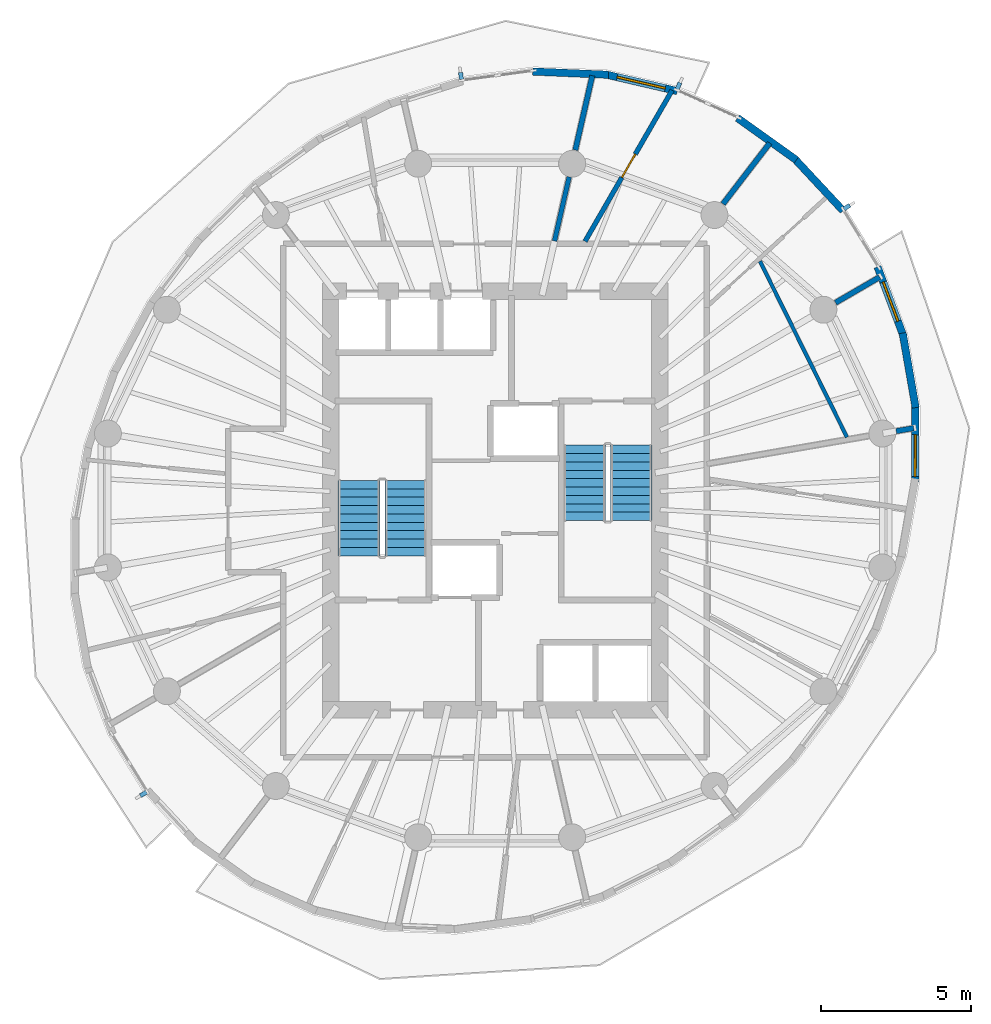
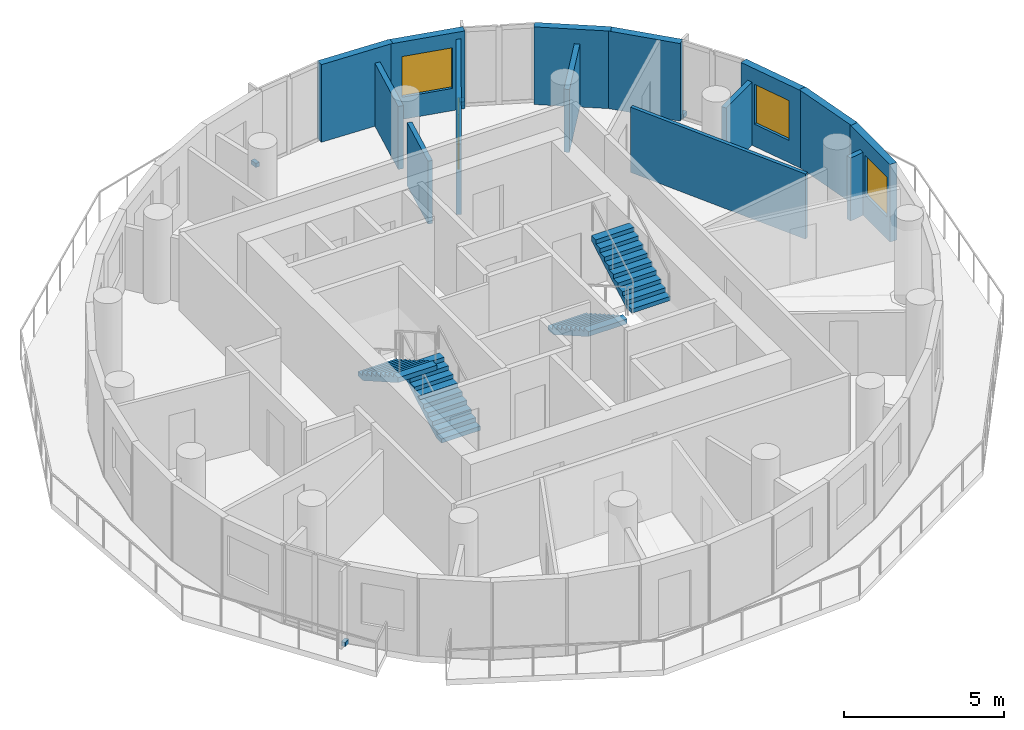
# One storey, part 7 of 10: 14 walls, 4 discrete accessories, 4 stair flights, 3 windows, 1 door, 4 openings, 2 elements without a shape of their own.
"""IFC4 building model written with IfcOpenShell, lengths in metres."""

from ifc_helpers import new_model, si_unit, direction, frame, frame_2d, origin, origin_2d, place, context, subcontext, project, spatial, polyline, rectangle, outline, extrude, material, layer, layer_set, type_object, element, fill, aggregate, save


model = new_model("IFC4")

# Units and contexts
model_context = context("Model", 3, precision=1e-05, world=origin(), true_north=direction((0.0, 1.0)))
body_context = subcontext(model_context, "Body", "Model", "MODEL_VIEW")
ifc_project = project(units=[si_unit("LENGTHUNIT", "METRE"), si_unit("AREAUNIT", "SQUARE_METRE"), si_unit("VOLUMEUNIT", "CUBIC_METRE"), si_unit("PLANEANGLEUNIT", "RADIAN"), si_unit("MASSUNIT", "GRAM", prefix="KILO")], contexts=[model_context])

# Site, building, storey
site_placement = place(None, origin())
site = spatial("IfcSite", under=ifc_project, at=site_placement, CompositionType="ELEMENT")
building_placement = place(site_placement, origin())
building = spatial("IfcBuilding", under=site, at=building_placement, Name="Veldorim Arch Residences", CompositionType="ELEMENT")
storey_placement = place(building_placement, frame((0.0, 0.0, 201.43994140625)))
storey = spatial("IfcBuildingStorey", under=building, at=storey_placement, Name="L60", CompositionType="ELEMENT", Elevation=201.43994140625)

# Walls
ifc_material_1 = material(Name="Acoustic Gypsum Board", Category="gypsum")
ifc_layer_1 = layer(ifc_material_1, 0.125, Name="Acoustic Stud Room Partition Wall 125")
ifc_layer_set_1 = layer_set([ifc_layer_1], Name="Acoustic Gypsum Board")
wall_type_1 = type_object("IfcWallType", Name="Acoustic Stud Room Partition Wall 125", PredefinedType="PARTITIONING", material=ifc_layer_set_1)
wall_1_placement = place(storey_placement, frame((43.7666015625, 26.11328125, 0.0), z_axis=(0.0, 0.0, 1.0), x_axis=(-0.443135854585, 0.89645446866, 0.0)))
element("IfcWall", 1, at=wall_1_placement, inside=storey, type_object=wall_type_1, Name="L60 interior wall WL-RES-L60-021", PredefinedType="PARTITIONING", context=body_context, shape_type="SweptSolid", body=[
    extrude(rectangle(XDim=6.5693359375, YDim=0.125, at=frame_2d((3.28466796875, 0.0))), origin(), (0.0, 0.0, 1.0), 2.488037109375),
])
ifc_material_2 = material(Name="Lightweight Masonry Block & Gypsum", Category="masonry")
ifc_layer_2 = layer(ifc_material_2, 0.179931640625, Name="Compartment & Corridor Fire-Rated Party Wall 180")
ifc_layer_set_2 = layer_set([ifc_layer_2], Name="Lightweight Masonry Block & Gypsum")
wall_type_2 = type_object("IfcWallType", Name="Compartment & Corridor Fire-Rated Party Wall 180", PredefinedType="PARTITIONING", material=ifc_layer_set_2)
wall_2_placement = place(storey_placement, frame((45.409423828125, 26.319580078125, 0.0), z_axis=(0.0, 0.0, 1.0), x_axis=(0.985338517658, 0.170610684362, 0.0)))
element("IfcWall", 2, at=wall_2_placement, inside=storey, type_object=wall_type_2, Name="L60 interior wall WL-PIER-L60-01", PredefinedType="PARTITIONING", context=body_context, shape_type="SweptSolid", body=[
    extrude(rectangle(XDim=0.592529296875, YDim=0.179931640625, at=frame_2d((0.29638671875, 0.0))), origin(), (0.0, 0.0, 1.0), 2.403564453125),
])
wall_3_placement = place(storey_placement, frame((43.3818359375, 30.614013671875, 0.0), z_axis=(0.0, 0.0, 1.0), x_axis=(0.864618511529, 0.502428929821, 0.0)))
element("IfcWall", 3, at=wall_3_placement, inside=storey, type_object=wall_type_2, Name="L60 interior wall WL-PIER-L60-02", PredefinedType="PARTITIONING", context=body_context, shape_type="SweptSolid", body=[
    extrude(rectangle(XDim=1.7060546875, YDim=0.179931640625, at=frame_2d((0.85302734375, 0.0))), origin(), (0.0, 0.0, 1.0), 2.403564453125),
])
wall_4_placement = place(storey_placement, frame((39.619873046875, 33.91796875, 0.0), z_axis=(0.0, 0.0, 1.0), x_axis=(0.60921849036, 0.79300241551, 0.0)))
element("IfcWall", 4, at=wall_4_placement, inside=storey, type_object=wall_type_2, Name="L60 interior wall WL-PIER-L60-03", PredefinedType="PARTITIONING", context=body_context, shape_type="SweptSolid", body=[
    extrude(rectangle(XDim=2.565185546875, YDim=0.179931640625, at=frame_2d((1.28271484375, 0.0))), origin(), (0.0, 0.0, 1.0), 2.403564453125),
])
wall_5_placement = place(storey_placement, frame((34.679931640625, 35.717529296875, 0.0), z_axis=(0.0, 0.0, 1.0), x_axis=(0.22299363946, 0.974819899654, 0.0)))
element("IfcWall", 5, at=wall_5_placement, inside=storey, type_object=wall_type_2, Name="L60 interior wall WL-PIER-L60-04", PredefinedType="PARTITIONING", context=body_context, shape_type="SweptSolid", body=[
    extrude(rectangle(XDim=2.552001953125, YDim=0.179931640625, at=frame_2d((1.27587890625, 0.0))), origin(), (0.0, 0.0, 1.0), 2.403564453125),
])
ifc_material_3 = material(Name="Precast concrete C40/50", Category="concrete")
ifc_layer_3 = layer(ifc_material_3, 0.25, Name="Tower Terracotta Spandrel & Pier Wall 250")
ifc_layer_set_3 = layer_set([ifc_layer_3], Name="Precast concrete C40/50")
wall_type_3 = type_object("IfcWallType", Name="Tower Terracotta Spandrel & Pier Wall 250", PredefinedType="SOLIDWALL", material=ifc_layer_set_3)
wall_6_placement = place(storey_placement, frame((40.106201171875, 36.788330078125, 0.0), z_axis=(0.0, 0.0, 1.0), x_axis=(0.813794949485, -0.581152114504, 0.0)))
element("IfcWall", 6, at=wall_6_placement, inside=storey, type_object=wall_type_3, Name="L60 terracotta facade wall 01", PredefinedType="SOLIDWALL", context=body_context, shape_type="SweptSolid", body=[
    extrude(rectangle(XDim=2.414794921875, YDim=0.25, at=frame_2d((1.20751953125, 0.0))), origin(), (0.0, 0.0, 1.0), 2.9599609375),
])

# Wall, opening, window
wall_7_placement = place(storey_placement, frame((35.676025390625, 38.252685546875, 0.0), z_axis=(0.0, 0.0, 1.0), x_axis=(0.974096425092, -0.226133046286, 0.0)))
wall_7 = element("IfcWall", 7, at=wall_7_placement, inside=storey, type_object=wall_type_3, Name="L60 terracotta facade wall 03", PredefinedType="SOLIDWALL", context=body_context, shape_type="SweptSolid", body=[
    extrude(rectangle(XDim=2.477783203125, YDim=0.25, at=frame_2d((1.23876953125, 0.0))), origin(), (0.0, 0.0, 1.0), 2.9599609375),
])
opening_1_placement = place(wall_7_placement, frame((0.4140625, 0.0, 0.85009765625)))
opening_1 = element("IfcOpeningElement", 8, at=opening_1_placement, cuts=wall_7, Name="Opening WN-03", PredefinedType="OPENING", context=body_context, shape_type="SweptSolid", body=[
    extrude(rectangle(XDim=1.64990234375, YDim=1.550048828125, at=frame_2d((0.824951171875, 0.77490234375))), frame((0.0, 0.135009765625, 0.0), z_axis=(0.0, -1.0, 0.0), x_axis=(1.0, 0.0, 0.0)), (0.0, 0.0, 1.0), 0.27001953125),
])
ifc_material_4 = material(Name="Laminated Low-E Glass", Category="glass")
window_type_1 = type_object("IfcWindowType", Name="Residential Wide Window 1650x1550", PartitioningType="SINGLE_PANEL", PredefinedType="WINDOW", material=ifc_material_4)
window_1_placement = place(opening_1_placement, origin())
window_1 = element("IfcWindow", 9, at=window_1_placement, inside=storey, type_object=window_type_1, Name="L60 solar-control facade window 03", OverallHeight=1.550048828125, OverallWidth=1.64990234375, PartitioningType="SINGLE_PANEL", PredefinedType="WINDOW", context=body_context, shape_type="SweptSolid", body=[
    extrude(rectangle(XDim=1.64990234375, YDim=1.550048828125, at=frame_2d((0.824951171875, 0.77490234375))), frame((0.0, 0.030029296875, 0.0), z_axis=(0.0, -1.0, 0.0), x_axis=(1.0, 0.0, 0.0)), (0.0, 0.0, 1.0), 0.06005859375),
])
fill(opening_1, window_1)

# Wall
wall_8_placement = place(storey_placement, frame((33.258056640625, 38.344970703125, 0.0), z_axis=(0.0, 0.0, 1.0), x_axis=(0.999099670747, -0.042424614469, 0.0)))
element("IfcWall", 10, at=wall_8_placement, inside=storey, type_object=wall_type_3, Name="L60 terracotta facade wall 04", PredefinedType="SOLIDWALL", context=body_context, shape_type="SweptSolid", body=[
    extrude(rectangle(XDim=2.531982421875, YDim=0.25, at=frame_2d((1.26611328125, 0.0))), origin(), (0.0, 0.0, 1.0), 2.9599609375),
])

# Wall, opening, window
wall_9_placement = place(storey_placement, frame((46.052001953125, 27.21630859375, 0.0), z_axis=(0.0, 0.0, 1.0), x_axis=(-0.004803561421, -0.999988462832, 0.0)))
wall_9 = element("IfcWall", 11, at=wall_9_placement, inside=storey, type_object=wall_type_3, Name="L60 terracotta facade wall 32", PredefinedType="SOLIDWALL", context=body_context, shape_type="SweptSolid", body=[
    extrude(rectangle(XDim=2.592041015625, YDim=0.25, at=frame_2d((1.2958984375, 0.0))), origin(), (0.0, 0.0, 1.0), 2.9599609375),
])
opening_2_placement = place(wall_9_placement, frame((1.01708984375, 0.0, 0.85009765625)))
opening_2 = element("IfcOpeningElement", 12, at=opening_2_placement, cuts=wall_9, Name="Opening WN-02", PredefinedType="OPENING", context=body_context, shape_type="SweptSolid", body=[
    extrude(rectangle(XDim=1.39990234375, YDim=1.52001953125, at=frame_2d((0.699951171875, 0.760009765625))), frame((0.0, 0.135009765625, 0.0), z_axis=(0.0, -1.0, 0.0), x_axis=(1.0, 0.0, 0.0)), (0.0, 0.0, 1.0), 0.27001953125),
])
ifc_material_5 = material(Name="Laminated Low-E Glass", Category="glass")
window_type_2 = type_object("IfcWindowType", Name="Residential Casement Window 1400x1550", PartitioningType="SINGLE_PANEL", PredefinedType="WINDOW", material=ifc_material_5)
window_2_placement = place(opening_2_placement, origin())
window_2 = element("IfcWindow", 13, at=window_2_placement, inside=storey, type_object=window_type_2, Name="L60 solar-control facade window 32", OverallHeight=1.52001953125, OverallWidth=1.39990234375, PartitioningType="SINGLE_PANEL", PredefinedType="WINDOW", context=body_context, shape_type="SweptSolid", body=[
    extrude(rectangle(XDim=1.39990234375, YDim=1.52001953125, at=frame_2d((0.699951171875, 0.760009765625))), frame((0.0, 0.030029296875, 0.0), z_axis=(0.0, -1.0, 0.0), x_axis=(1.0, 0.0, 0.0)), (0.0, 0.0, 1.0), 0.06005859375),
])
fill(opening_2, window_2)

# Wall
wall_10_placement = place(storey_placement, frame((45.627197265625, 29.599609375, 0.0), z_axis=(0.0, 0.0, 1.0), x_axis=(0.17143069214, -0.985196182388, 0.0)))
element("IfcWall", 14, at=wall_10_placement, inside=storey, type_object=wall_type_3, Name="L60 terracotta facade wall 33", PredefinedType="SOLIDWALL", context=body_context, shape_type="SweptSolid", body=[
    extrude(rectangle(XDim=2.5322265625, YDim=0.25, at=frame_2d((1.26611328125, 0.0))), origin(), (0.0, 0.0, 1.0), 2.9599609375),
])

# Wall, opening, window
wall_11_placement = place(storey_placement, frame((44.78857421875, 31.811279296875, 0.0), z_axis=(0.0, 0.0, 1.0), x_axis=(0.350367491805, -0.93661231077, 0.0)))
wall_11 = element("IfcWall", 15, at=wall_11_placement, inside=storey, type_object=wall_type_3, Name="L60 terracotta facade wall 34", PredefinedType="SOLIDWALL", context=body_context, shape_type="SweptSolid", body=[
    extrude(rectangle(XDim=2.477783203125, YDim=0.25, at=frame_2d((1.23876953125, 0.0))), origin(), (0.0, 0.0, 1.0), 2.9599609375),
])
opening_3_placement = place(wall_11_placement, frame((0.5390625, 0.0, 0.85009765625)))
opening_3 = element("IfcOpeningElement", 16, at=opening_3_placement, cuts=wall_11, Name="Opening WN-02", PredefinedType="OPENING", context=body_context, shape_type="SweptSolid", body=[
    extrude(rectangle(XDim=1.39990234375, YDim=1.52001953125, at=frame_2d((0.699951171875, 0.760009765625))), frame((0.0, 0.135009765625, 0.0), z_axis=(0.0, -1.0, 0.0), x_axis=(1.0, 0.0, 0.0)), (0.0, 0.0, 1.0), 0.27001953125),
])
window_3_placement = place(opening_3_placement, origin())
window_3 = element("IfcWindow", 17, at=window_3_placement, inside=storey, type_object=window_type_2, Name="L60 solar-control facade window 34", OverallHeight=1.52001953125, OverallWidth=1.39990234375, PartitioningType="SINGLE_PANEL", PredefinedType="WINDOW", context=body_context, shape_type="SweptSolid", body=[
    extrude(rectangle(XDim=1.39990234375, YDim=1.52001953125, at=frame_2d((0.699951171875, 0.760009765625))), frame((0.0, 0.030029296875, 0.0), z_axis=(0.0, -1.0, 0.0), x_axis=(1.0, 0.0, 0.0)), (0.0, 0.0, 1.0), 0.06005859375),
])
fill(opening_3, window_3)

# Wall
wall_12_placement = place(storey_placement, frame((41.985107421875, 35.460693359375, 0.0), z_axis=(0.0, 0.0, 1.0), x_axis=(0.681640731319, -0.731687032417, 0.0)))
element("IfcWall", 18, at=wall_12_placement, inside=storey, type_object=wall_type_3, Name="L60 terracotta facade wall 36", PredefinedType="SOLIDWALL", context=body_context, shape_type="SweptSolid", body=[
    extrude(rectangle(XDim=2.414794921875, YDim=0.25, at=frame_2d((1.20751953125, 0.0))), origin(), (0.0, 0.0, 1.0), 2.9599609375),
])

# Wall, opening, door
ifc_material_6 = material(Name="Moisture-Resistant Gypsum & Stud", Category="gypsum")
ifc_layer_4 = layer(ifc_material_6, 0.159912109375, Name="Wet-Area Moisture-Resistant Plumbing Wall 160")
ifc_layer_set_4 = layer_set([ifc_layer_4], Name="Moisture-Resistant Gypsum & Stud")
wall_type_4 = type_object("IfcWallType", Name="Wet-Area Moisture-Resistant Plumbing Wall 160", PredefinedType="PLUMBINGWALL", material=ifc_layer_set_4)
wall_13_placement = place(storey_placement, frame((35.00537109375, 32.66650390625, 0.0), z_axis=(0.0, 0.0, 1.0), x_axis=(0.499495237235, 0.866316632635, 0.0)))
wall_13 = element("IfcWall", 19, at=wall_13_placement, inside=storey, type_object=wall_type_4, Name="L60 interior wall WL-RES-L60-018", PredefinedType="PLUMBINGWALL", context=body_context, shape_type="SweptSolid", body=[
    extrude(rectangle(XDim=5.82958984375, YDim=0.159912109375, at=frame_2d((2.914794921875, 0.0))), origin(), (0.0, 0.0, 1.0), 2.692138671875),
])
opening_4_placement = place(wall_13_placement, frame((2.46484375, 0.0, 0.0)))
opening_4 = element("IfcOpeningElement", 20, at=opening_4_placement, cuts=wall_13, Name="Opening DR-WC", PredefinedType="OPENING", context=body_context, shape_type="SweptSolid", body=[
    extrude(rectangle(XDim=0.89990234375, YDim=2.10009765625, at=frame_2d((0.449951171875, 1.050048828125))), frame((0.0, 0.08984375, 0.0), z_axis=(0.0, -1.0, 0.0), x_axis=(1.0, 0.0, 0.0)), (0.0, 0.0, 1.0), 0.179931640625),
])
ifc_material_7 = material(Name="Laminate Timber", Category="wood")
door_type = type_object("IfcDoorType", Name="Bathroom & Accessible WC Moisture-Sealed Door 900x2100", OperationType="SINGLE_SWING_LEFT", PredefinedType="DOOR", material=ifc_material_7)
door_placement = place(opening_4_placement, origin())
door = element("IfcDoor", 21, at=door_placement, inside=storey, type_object=door_type, Name="L60 interior door DR-RES-L60-008", OperationType="SINGLE_SWING_RIGHT", OverallHeight=2.10009765625, OverallWidth=0.89990234375, PredefinedType="DOOR", context=body_context, shape_type="SweptSolid", body=[
    extrude(rectangle(XDim=0.89990234375, YDim=2.10009765625, at=frame_2d((0.449951171875, 1.050048828125))), frame((0.0, 0.02490234375, 0.0), z_axis=(0.0, -1.0, 0.0), x_axis=(1.0, 0.0, 0.0)), (0.0, 0.0, 1.0), 0.050048828125),
])
fill(opening_4, door)

# Wall
wall_14_placement = place(storey_placement, frame((33.984619140625, 32.677490234375, 0.0), z_axis=(0.0, 0.0, 1.0), x_axis=(0.222969522248, 0.974825416241, 0.0)))
element("IfcWall", 22, at=wall_14_placement, inside=storey, type_object=wall_type_4, Name="L60 interior wall WL-RES-L60-020", PredefinedType="PLUMBINGWALL", context=body_context, shape_type="SweptSolid", body=[
    extrude(rectangle(XDim=2.19873046875, YDim=0.159912109375, at=frame_2d((1.099365234375, 0.0))), origin(), (0.0, 0.0, 1.0), 2.403564453125),
])

# Stair, stair flights
ifc_material_8 = material(Name="Concrete C40/50", Category="concrete")
stair_type = type_object("IfcStairType", Name="Reinforced Concrete Dogleg Exit Staircase", PredefinedType="HALF_TURN_STAIR", material=ifc_material_8)
stair_1_placement = place(storey_placement, origin())
stair_1 = element("IfcStair", 23, at=stair_1_placement, inside=storey, type_object=stair_type, Name="L60 Exit Staircase ST-1", PredefinedType="HALF_TURN_STAIR")
ifc_material_9 = material(Name="Concrete C40/50", Category="concrete")
stair_flight_type = type_object("IfcStairFlightType", Name="Reinforced Concrete Stair Flight 1400", PredefinedType="STRAIGHT", material=ifc_material_9)
stair_flight_1_placement = place(storey_placement, frame((29.010009765625, 22.14990234375, 0.0), z_axis=(0.0, 0.0, 1.0), x_axis=(0.0, 1.0, 0.0)))
stair_flight_1 = element("IfcStairFlight", 24, at=stair_flight_1_placement, type_object=stair_flight_type, Name="ST-1 flight 1", NumberOfRisers=10, NumberOfTreads=9, PredefinedType="STRAIGHT", RiserHeight=0.16, TreadLength=0.28, context=body_context, shape_type="SweptSolid", body=[
    extrude(outline(polyline([(0.0, 0.0), (0.0, 0.159912109375), (0.280029296875, 0.159912109375), (0.280029296875, 0.320068359375), (0.56005859375, 0.320068359375), (0.56005859375, 0.47998046875), (0.840087890625, 0.47998046875), (0.840087890625, 0.639892578125), (1.1201171875, 0.639892578125), (1.1201171875, 0.800048828125), (1.39990234375, 0.800048828125), (1.39990234375, 0.9599609375), (1.679931640625, 0.9599609375), (1.679931640625, 1.1201171875), (1.9599609375, 1.1201171875), (1.9599609375, 1.280029296875), (2.239990234375, 1.280029296875), (2.239990234375, 1.43994140625), (2.52001953125, 1.43994140625), (2.52001953125, 1.60009765625), (2.52001953125, 1.255859375), (0.322265625, 0.0), (0.0, 0.0)])), frame((0.0, 0.699951171875, 0.0), z_axis=(0.0, -1.0, 0.0), x_axis=(1.0, 0.0, 0.0)), (0.0, 0.0, 1.0), 1.39990234375),
])
stair_flight_2_placement = place(storey_placement, frame((27.449951171875, 24.669921875, 1.60009765625), z_axis=(0.0, 0.0, 1.0), x_axis=(0.0, -1.0, 0.0)))
stair_flight_2 = element("IfcStairFlight", 25, at=stair_flight_2_placement, type_object=stair_flight_type, Name="ST-1 flight 2", NumberOfRisers=10, NumberOfTreads=9, PredefinedType="STRAIGHT", RiserHeight=0.16, TreadLength=0.28, context=body_context, shape_type="SweptSolid", body=[
    extrude(outline(polyline([(0.0, 0.0), (0.0, 0.159912109375), (0.280029296875, 0.159912109375), (0.280029296875, 0.320068359375), (0.56005859375, 0.320068359375), (0.56005859375, 0.47998046875), (0.840087890625, 0.47998046875), (0.840087890625, 0.639892578125), (1.1201171875, 0.639892578125), (1.1201171875, 0.800048828125), (1.39990234375, 0.800048828125), (1.39990234375, 0.9599609375), (1.679931640625, 0.9599609375), (1.679931640625, 1.1201171875), (1.9599609375, 1.1201171875), (1.9599609375, 1.280029296875), (2.239990234375, 1.280029296875), (2.239990234375, 1.43994140625), (2.52001953125, 1.43994140625), (2.52001953125, 1.60009765625), (2.52001953125, 1.255859375), (0.322265625, 0.0), (0.0, 0.0)])), frame((0.0, 0.699951171875, 0.0), z_axis=(0.0, -1.0, 0.0), x_axis=(1.0, 0.0, 0.0)), (0.0, 0.0, 1.0), 1.39990234375),
])
aggregate(stair_1, [stair_flight_1, stair_flight_2])

stair_2_placement = place(storey_placement, origin())
stair_2 = element("IfcStair", 26, at=stair_2_placement, inside=storey, type_object=stair_type, Name="L60 Exit Staircase ST-2", PredefinedType="HALF_TURN_STAIR")
stair_flight_3_placement = place(storey_placement, frame((34.989990234375, 25.85009765625, 0.0), z_axis=(0.0, 0.0, 1.0), x_axis=(0.0, -1.0, 0.0)))
stair_flight_3 = element("IfcStairFlight", 27, at=stair_flight_3_placement, type_object=stair_flight_type, Name="ST-2 flight 1", NumberOfRisers=10, NumberOfTreads=9, PredefinedType="STRAIGHT", RiserHeight=0.16, TreadLength=0.28, context=body_context, shape_type="SweptSolid", body=[
    extrude(outline(polyline([(0.0, 0.0), (0.0, 0.159912109375), (0.280029296875, 0.159912109375), (0.280029296875, 0.320068359375), (0.56005859375, 0.320068359375), (0.56005859375, 0.47998046875), (0.840087890625, 0.47998046875), (0.840087890625, 0.639892578125), (1.1201171875, 0.639892578125), (1.1201171875, 0.800048828125), (1.39990234375, 0.800048828125), (1.39990234375, 0.9599609375), (1.679931640625, 0.9599609375), (1.679931640625, 1.1201171875), (1.9599609375, 1.1201171875), (1.9599609375, 1.280029296875), (2.239990234375, 1.280029296875), (2.239990234375, 1.43994140625), (2.52001953125, 1.43994140625), (2.52001953125, 1.60009765625), (2.52001953125, 1.255859375), (0.322265625, 0.0), (0.0, 0.0)])), frame((0.0, 0.699951171875, 0.0), z_axis=(0.0, -1.0, 0.0), x_axis=(1.0, 0.0, 0.0)), (0.0, 0.0, 1.0), 1.39990234375),
])
stair_flight_4_placement = place(storey_placement, frame((36.550048828125, 23.330078125, 1.60009765625), z_axis=(0.0, 0.0, 1.0), x_axis=(0.0, 1.0, 0.0)))
stair_flight_4 = element("IfcStairFlight", 28, at=stair_flight_4_placement, type_object=stair_flight_type, Name="ST-2 flight 2", NumberOfRisers=10, NumberOfTreads=9, PredefinedType="STRAIGHT", RiserHeight=0.16, TreadLength=0.28, context=body_context, shape_type="SweptSolid", body=[
    extrude(outline(polyline([(0.0, 0.0), (0.0, 0.159912109375), (0.280029296875, 0.159912109375), (0.280029296875, 0.320068359375), (0.56005859375, 0.320068359375), (0.56005859375, 0.47998046875), (0.840087890625, 0.47998046875), (0.840087890625, 0.639892578125), (1.1201171875, 0.639892578125), (1.1201171875, 0.800048828125), (1.39990234375, 0.800048828125), (1.39990234375, 0.9599609375), (1.679931640625, 0.9599609375), (1.679931640625, 1.1201171875), (1.9599609375, 1.1201171875), (1.9599609375, 1.280029296875), (2.239990234375, 1.280029296875), (2.239990234375, 1.43994140625), (2.52001953125, 1.43994140625), (2.52001953125, 1.60009765625), (2.52001953125, 1.255859375), (0.322265625, 0.0), (0.0, 0.0)])), frame((0.0, 0.699951171875, 0.0), z_axis=(0.0, -1.0, 0.0), x_axis=(1.0, 0.0, 0.0)), (0.0, 0.0, 1.0), 1.39990234375),
])
aggregate(stair_2, [stair_flight_3, stair_flight_4])

# Discrete accessories
ifc_material_10 = material(Name="Stainless Steel", Category="steel")
discrete_accessory_type = type_object("IfcDiscreteAccessoryType", Name="Stainless Steel Facade Fin Anchor Bracket", PredefinedType="BRACKET", material=ifc_material_10)
for number, where, z_axis, x_axis, name in (
    (29, (38.1318359375, 37.861328125, -0.02001953125), (0.0, 0.0, 1.0), (0.912477494148, -0.409126902895, 0.0), "L60 stainless fin anchor bracket 02"),
    (30, (30.8583984375, 38.194091796875, -0.02001953125), (0.0, 0.0, 1.0), (0.990959799621, 0.134159142573, 0.0), "L60 stainless fin anchor bracket 05"),
    (31, (20.239501953125, 14.189697265625, -0.02001953125), (0.0, 0.0, 1.0), (-0.523837243597, 0.851818373963, 0.0), "L60 stainless fin anchor bracket 17"),
    (32, (43.760498046875, 33.810302734375, -0.02001953125), (0.0, 0.0, 1.0), (0.523837243597, -0.851818373963, 0.0), "L60 stainless fin anchor bracket 35"),
):
    element("IfcDiscreteAccessory", number, at=place(storey_placement, frame(where, z_axis=z_axis, x_axis=x_axis)), inside=storey, type_object=discrete_accessory_type, Name=name, PredefinedType="BRACKET", context=body_context, shape_type="SweptSolid", body=[
        extrude(rectangle(XDim=0.139892578125, YDim=0.239990234375, at=origin_2d()), origin(), (0.0, 0.0, 1.0), 0.159912109375),
    ])

save(model, "model.ifc")
